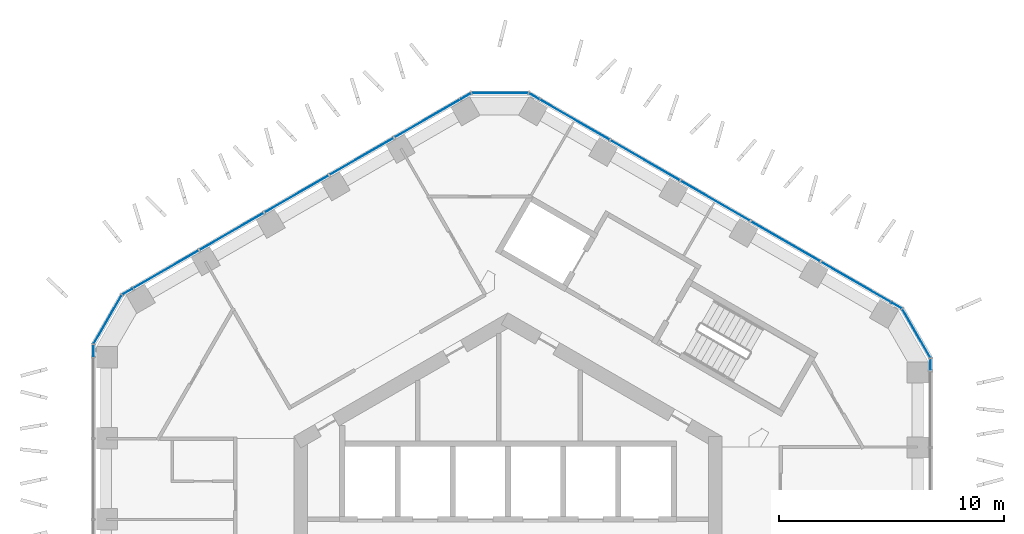
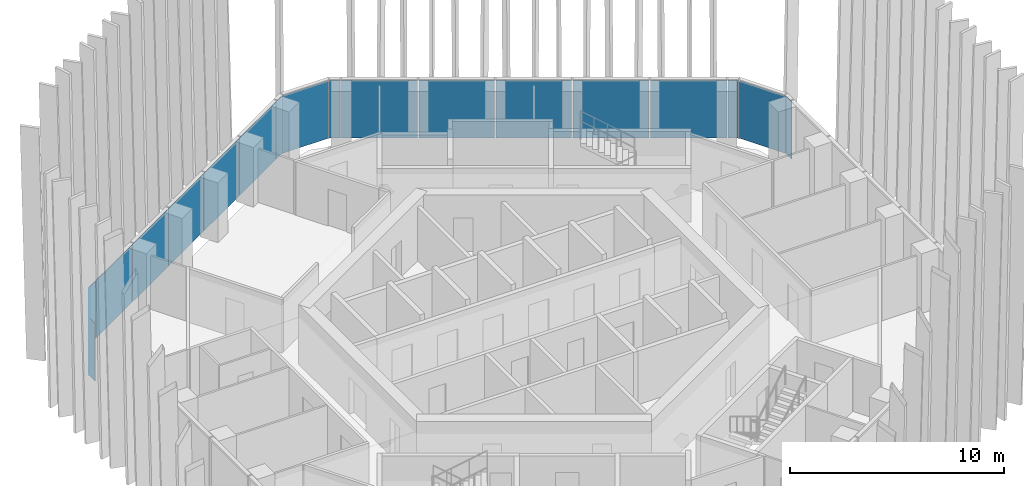
# One storey, part 12 of 21: 19 plates, 5 elements without a shape of their own.
"""IFC4 building model written with IfcOpenShell, lengths in metres."""

from ifc_helpers import new_model, si_unit, direction, frame, origin, origin_2d, place, context, subcontext, project, spatial, rectangle, extrude, material, layer, layer_set, type_object, element, aggregate, save


model = new_model("IFC4")

# Units and contexts
model_context = context("Model", 3, precision=1e-05, world=origin(), true_north=direction((0.0, 1.0)))
body_context = subcontext(model_context, "Body", "Model", "MODEL_VIEW")
ifc_project = project(units=[si_unit("LENGTHUNIT", "METRE"), si_unit("AREAUNIT", "SQUARE_METRE"), si_unit("VOLUMEUNIT", "CUBIC_METRE"), si_unit("PLANEANGLEUNIT", "RADIAN"), si_unit("MASSUNIT", "GRAM", prefix="KILO")], contexts=[model_context])

# Site, building, storey
site_placement = place(None, origin())
site = spatial("IfcSite", under=ifc_project, at=site_placement, CompositionType="ELEMENT")
building_placement = place(site_placement, origin())
building = spatial("IfcBuilding", under=site, at=building_placement, Name="Ayvan Gate Tower", CompositionType="ELEMENT")
storey_placement = place(building_placement, frame((0.0, 0.0, 173.10009765625)))
storey = spatial("IfcBuildingStorey", under=building, at=storey_placement, Name="L46", CompositionType="ELEMENT", Elevation=173.10009765625)

# Curtain wall, plates
ifc_material_1 = material(Name="Bronze anodised aluminium", Category="aluminium")
ifc_layer_1 = layer(ifc_material_1, 0.199951171875)
ifc_layer_set_1 = layer_set([ifc_layer_1], Name="Bronze anodised aluminium")
curtain_wall_type_1 = type_object("IfcCurtainWallType", Name="Stick curtain wall CW-2", PredefinedType="NOTDEFINED", material=ifc_layer_set_1)
curtain_wall_1_placement = place(storey_placement, origin())
curtain_wall_1 = element("IfcCurtainWall", 1, at=curtain_wall_1_placement, inside=storey, type_object=curtain_wall_type_1, Name="Stick curtain wall CW-2 L46", PredefinedType="NOTDEFINED")
ifc_material_2 = material(Name="Clear low-iron laminated glass", Category="glass")
ifc_layer_2 = layer(ifc_material_2, 0.028076171875)
ifc_layer_set_2 = layer_set([ifc_layer_2], Name="Clear low-iron laminated glass")
plate_type_1 = type_object("IfcPlateType", Name="Stick curtain wall CW-2 glass panel", PredefinedType="CURTAIN_PANEL", material=ifc_layer_set_2)
plate_1_placement = place(storey_placement, frame((-3.567138671875, 19.6044921875, 0.0), z_axis=(0.0, 0.0, 1.0), x_axis=(-0.866025403784, -0.5, 0.0)))
plate_1 = element("IfcPlate", 2, at=plate_1_placement, type_object=plate_type_1, Name="CW-2 glass panel 1", PredefinedType="CURTAIN_PANEL", context=body_context, shape_type="SweptSolid", body=[
    extrude(rectangle(XDim=3.368896484375, YDim=0.028076171875, at=origin_2d()), origin(), (0.0, 0.0, 1.0), 3.280029296875),
])
plate_2_placement = place(storey_placement, frame((-6.497802734375, 17.912353515625, 0.0), z_axis=(0.0, 0.0, 1.0), x_axis=(-0.866025403784, -0.5, 0.0)))
plate_2 = element("IfcPlate", 3, at=plate_2_placement, type_object=plate_type_1, Name="CW-2 glass panel 2", PredefinedType="CURTAIN_PANEL", context=body_context, shape_type="SweptSolid", body=[
    extrude(rectangle(XDim=3.259033203125, YDim=0.028076171875, at=origin_2d()), origin(), (0.0, 0.0, 1.0), 3.280029296875),
])
plate_3_placement = place(storey_placement, frame((-9.380859375, 16.248046875, 0.0), z_axis=(0.0, 0.0, 1.0), x_axis=(-0.866025403784, -0.5, 0.0)))
plate_3 = element("IfcPlate", 4, at=plate_3_placement, type_object=plate_type_1, Name="CW-2 glass panel 3", PredefinedType="CURTAIN_PANEL", context=body_context, shape_type="SweptSolid", body=[
    extrude(rectangle(XDim=3.259033203125, YDim=0.028076171875, at=origin_2d()), origin(), (0.0, 0.0, 1.0), 3.280029296875),
])
plate_4_placement = place(storey_placement, frame((-12.263671875, 14.58349609375, 0.0), z_axis=(0.0, 0.0, 1.0), x_axis=(-0.866025403784, -0.5, 0.0)))
plate_4 = element("IfcPlate", 5, at=plate_4_placement, type_object=plate_type_1, Name="CW-2 glass panel 4", PredefinedType="CURTAIN_PANEL", context=body_context, shape_type="SweptSolid", body=[
    extrude(rectangle(XDim=3.259033203125, YDim=0.028076171875, at=origin_2d()), origin(), (0.0, 0.0, 1.0), 3.280029296875),
])
plate_5_placement = place(storey_placement, frame((-15.1943359375, 12.891357421875, 0.0), z_axis=(0.0, 0.0, 1.0), x_axis=(-0.866025403784, -0.5, 0.0)))
plate_5 = element("IfcPlate", 6, at=plate_5_placement, type_object=plate_type_1, Name="CW-2 glass panel 5", PredefinedType="CURTAIN_PANEL", context=body_context, shape_type="SweptSolid", body=[
    extrude(rectangle(XDim=3.368896484375, YDim=0.028076171875, at=origin_2d()), origin(), (0.0, 0.0, 1.0), 3.280029296875),
])
aggregate(curtain_wall_1, [plate_1, plate_2, plate_3, plate_4, plate_5])

curtain_wall_2_placement = place(storey_placement, origin())
curtain_wall_2 = element("IfcCurtainWall", 7, at=curtain_wall_2_placement, inside=storey, type_object=curtain_wall_type_1, Name="Stick curtain wall CW-2 L46", PredefinedType="NOTDEFINED")
plate_6_placement = place(storey_placement, frame((15.45703125, 12.32861328125, 0.0), z_axis=(0.0, 0.0, 1.0), x_axis=(-0.866025403784, 0.5, 0.0)))
plate_6 = element("IfcPlate", 8, at=plate_6_placement, type_object=plate_type_1, Name="CW-2 glass panel 1", PredefinedType="CURTAIN_PANEL", context=body_context, shape_type="SweptSolid", body=[
    extrude(rectangle(XDim=3.5849609375, YDim=0.028076171875, at=origin_2d()), origin(), (0.0, 0.0, 1.0), 3.280029296875),
])
plate_7_placement = place(storey_placement, frame((12.317138671875, 14.141357421875, 0.0), z_axis=(0.0, 0.0, 1.0), x_axis=(-0.866025403784, 0.5, 0.0)))
plate_7 = element("IfcPlate", 9, at=plate_7_placement, type_object=plate_type_1, Name="CW-2 glass panel 2", PredefinedType="CURTAIN_PANEL", context=body_context, shape_type="SweptSolid", body=[
    extrude(rectangle(XDim=3.52587890625, YDim=0.028076171875, at=origin_2d()), origin(), (0.0, 0.0, 1.0), 3.280029296875),
])
plate_8_placement = place(storey_placement, frame((9.202880859375, 15.939453125, 0.0), z_axis=(0.0, 0.0, 1.0), x_axis=(-0.866025403784, 0.5, 0.0)))
plate_8 = element("IfcPlate", 10, at=plate_8_placement, type_object=plate_type_1, Name="CW-2 glass panel 3", PredefinedType="CURTAIN_PANEL", context=body_context, shape_type="SweptSolid", body=[
    extrude(rectangle(XDim=3.52587890625, YDim=0.028076171875, at=origin_2d()), origin(), (0.0, 0.0, 1.0), 3.280029296875),
])
plate_9_placement = place(storey_placement, frame((6.08837890625, 17.73779296875, 0.0), z_axis=(0.0, 0.0, 1.0), x_axis=(-0.866025403784, 0.5, 0.0)))
plate_9 = element("IfcPlate", 11, at=plate_9_placement, type_object=plate_type_1, Name="CW-2 glass panel 4", PredefinedType="CURTAIN_PANEL", context=body_context, shape_type="SweptSolid", body=[
    extrude(rectangle(XDim=3.527099609375, YDim=0.028076171875, at=origin_2d()), origin(), (0.0, 0.0, 1.0), 3.280029296875),
])
plate_10_placement = place(storey_placement, frame((2.9482421875, 19.550537109375, 0.0), z_axis=(0.0, 0.0, 1.0), x_axis=(-0.866025403784, 0.5, 0.0)))
plate_10 = element("IfcPlate", 12, at=plate_10_placement, type_object=plate_type_1, Name="CW-2 glass panel 5", PredefinedType="CURTAIN_PANEL", context=body_context, shape_type="SweptSolid", body=[
    extrude(rectangle(XDim=3.58447265625, YDim=0.028076171875, at=origin_2d()), origin(), (0.0, 0.0, 1.0), 3.280029296875),
])
aggregate(curtain_wall_2, [plate_6, plate_7, plate_8, plate_9, plate_10])

ifc_layer_3 = layer(ifc_material_1, 0.199951171875)
ifc_layer_set_3 = layer_set([ifc_layer_3], Name="Bronze anodised aluminium")
curtain_wall_type_2 = type_object("IfcCurtainWallType", Name="Stick curtain wall CW-6", PredefinedType="NOTDEFINED", material=ifc_layer_set_3)
curtain_wall_3_placement = place(storey_placement, origin())
curtain_wall_3 = element("IfcCurtainWall", 13, at=curtain_wall_3_placement, inside=storey, type_object=curtain_wall_type_2, Name="Stick curtain wall CW-6 L46", PredefinedType="NOTDEFINED")
ifc_layer_4 = layer(ifc_material_2, 0.028076171875)
ifc_layer_set_4 = layer_set([ifc_layer_4], Name="Clear low-iron laminated glass")
plate_type_2 = type_object("IfcPlateType", Name="Stick curtain wall CW-6 glass panel", PredefinedType="CURTAIN_PANEL", material=ifc_layer_set_4)
plate_11_placement = place(storey_placement, frame((-16.89990234375, 11.90673828125, 0.0), z_axis=(0.0, 0.0, 1.0), x_axis=(-0.866025403784, -0.5, 0.0)))
plate_11 = element("IfcPlate", 14, at=plate_11_placement, type_object=plate_type_2, Name="CW-6 glass panel 1", PredefinedType="CURTAIN_PANEL", context=body_context, shape_type="SweptSolid", body=[
    extrude(rectangle(XDim=0.5, YDim=0.028076171875, at=origin_2d()), origin(), (0.0, 0.0, 1.0), 3.280029296875),
])
plate_12_placement = place(storey_placement, frame((-17.771728515625, 10.671630859375, 0.0), z_axis=(0.0, 0.0, 1.0), x_axis=(-0.5, -0.866025403784, 0.0)))
plate_12 = element("IfcPlate", 15, at=plate_12_placement, type_object=plate_type_2, Name="CW-6 glass panel 2", PredefinedType="CURTAIN_PANEL", context=body_context, shape_type="SweptSolid", body=[
    extrude(rectangle(XDim=2.484619140625, YDim=0.028076171875, at=origin_2d()), origin(), (0.0, 0.0, 1.0), 3.280029296875),
])
plate_13_placement = place(storey_placement, frame((-18.405517578125, 9.29931640625, 0.0), z_axis=(0.0, 0.0, 1.0), x_axis=(0.0, -1.0, 0.0)))
plate_13 = element("IfcPlate", 16, at=plate_13_placement, type_object=plate_type_2, Name="CW-6 glass panel 3", PredefinedType="CURTAIN_PANEL", context=body_context, shape_type="SweptSolid", body=[
    extrude(rectangle(XDim=0.5, YDim=0.028076171875, at=origin_2d()), origin(), (0.0, 0.0, 1.0), 3.280029296875),
])
aggregate(curtain_wall_3, [plate_11, plate_12, plate_13])

curtain_wall_4_placement = place(storey_placement, origin())
curtain_wall_4 = element("IfcCurtainWall", 17, at=curtain_wall_4_placement, inside=storey, type_object=curtain_wall_type_2, Name="Stick curtain wall CW-6 L46", PredefinedType="NOTDEFINED")
plate_14_placement = place(storey_placement, frame((18.761474609375, 8.682373046875, 0.0), z_axis=(0.0, 0.0, 1.0), x_axis=(0.0, 1.0, 0.0)))
plate_14 = element("IfcPlate", 18, at=plate_14_placement, type_object=plate_type_2, Name="CW-6 glass panel 1", PredefinedType="CURTAIN_PANEL", context=body_context, shape_type="SweptSolid", body=[
    extrude(rectangle(XDim=0.5, YDim=0.028076171875, at=origin_2d()), origin(), (0.0, 0.0, 1.0), 3.280029296875),
])
plate_15_placement = place(storey_placement, frame((18.1279296875, 10.054931640625, 0.0), z_axis=(0.0, 0.0, 1.0), x_axis=(-0.5, 0.866025403784, 0.0)))
plate_15 = element("IfcPlate", 19, at=plate_15_placement, type_object=plate_type_2, Name="CW-6 glass panel 2", PredefinedType="CURTAIN_PANEL", context=body_context, shape_type="SweptSolid", body=[
    extrude(rectangle(XDim=2.484619140625, YDim=0.028076171875, at=origin_2d()), origin(), (0.0, 0.0, 1.0), 3.280029296875),
])
plate_16_placement = place(storey_placement, frame((17.256103515625, 11.2900390625, 0.0), z_axis=(0.0, 0.0, 1.0), x_axis=(-0.866025403784, 0.5, 0.0)))
plate_16 = element("IfcPlate", 20, at=plate_16_placement, type_object=plate_type_2, Name="CW-6 glass panel 3", PredefinedType="CURTAIN_PANEL", context=body_context, shape_type="SweptSolid", body=[
    extrude(rectangle(XDim=0.5, YDim=0.028076171875, at=origin_2d()), origin(), (0.0, 0.0, 1.0), 3.280029296875),
])
aggregate(curtain_wall_4, [plate_14, plate_15, plate_16])

curtain_wall_5_placement = place(storey_placement, origin())
curtain_wall_5 = element("IfcCurtainWall", 21, at=curtain_wall_5_placement, inside=storey, type_object=curtain_wall_type_2, Name="Stick curtain wall CW-6 L46", PredefinedType="NOTDEFINED")
plate_17_placement = place(storey_placement, frame((1.1494140625, 20.589111328125, 0.0), z_axis=(0.0, 0.0, 1.0), x_axis=(-0.866025403784, 0.5, 0.0)))
plate_17 = element("IfcPlate", 22, at=plate_17_placement, type_object=plate_type_2, Name="CW-6 glass panel 1", PredefinedType="CURTAIN_PANEL", context=body_context, shape_type="SweptSolid", body=[
    extrude(rectangle(XDim=0.5, YDim=0.028076171875, at=origin_2d()), origin(), (0.0, 0.0, 1.0), 3.280029296875),
])
plate_18_placement = place(storey_placement, frame((-0.356201171875, 20.726806640625, 0.0), z_axis=(0.0, 0.0, 1.0), x_axis=(-1.0, 0.0, 0.0)))
plate_18 = element("IfcPlate", 23, at=plate_18_placement, type_object=plate_type_2, Name="CW-6 glass panel 2", PredefinedType="CURTAIN_PANEL", context=body_context, shape_type="SweptSolid", body=[
    extrude(rectangle(XDim=2.484619140625, YDim=0.028076171875, at=origin_2d()), origin(), (0.0, 0.0, 1.0), 3.280029296875),
])
plate_19_placement = place(storey_placement, frame((-1.861572265625, 20.589111328125, 0.0), z_axis=(0.0, 0.0, 1.0), x_axis=(-0.866025403784, -0.5, 0.0)))
plate_19 = element("IfcPlate", 24, at=plate_19_placement, type_object=plate_type_2, Name="CW-6 glass panel 3", PredefinedType="CURTAIN_PANEL", context=body_context, shape_type="SweptSolid", body=[
    extrude(rectangle(XDim=0.5, YDim=0.028076171875, at=origin_2d()), origin(), (0.0, 0.0, 1.0), 3.280029296875),
])
aggregate(curtain_wall_5, [plate_17, plate_18, plate_19])

save(model, "model.ifc")
